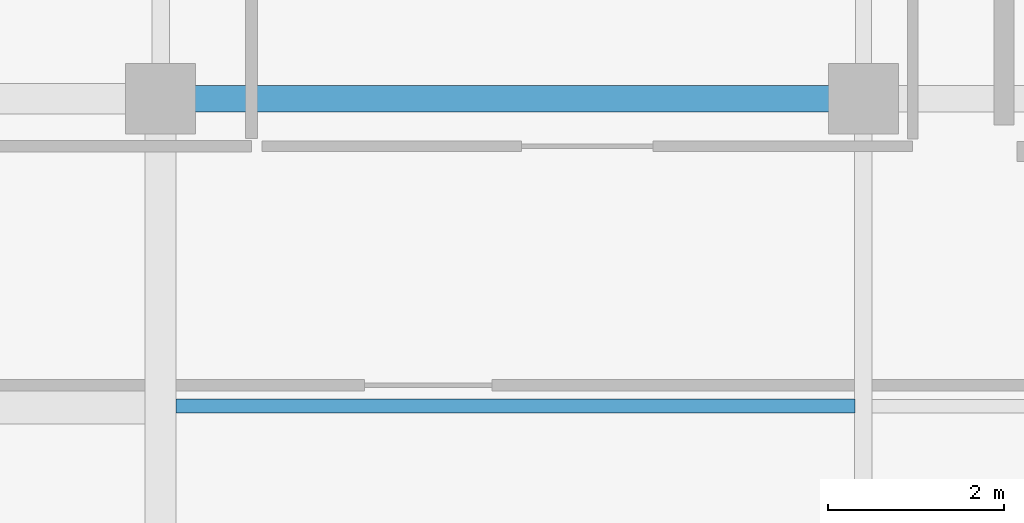
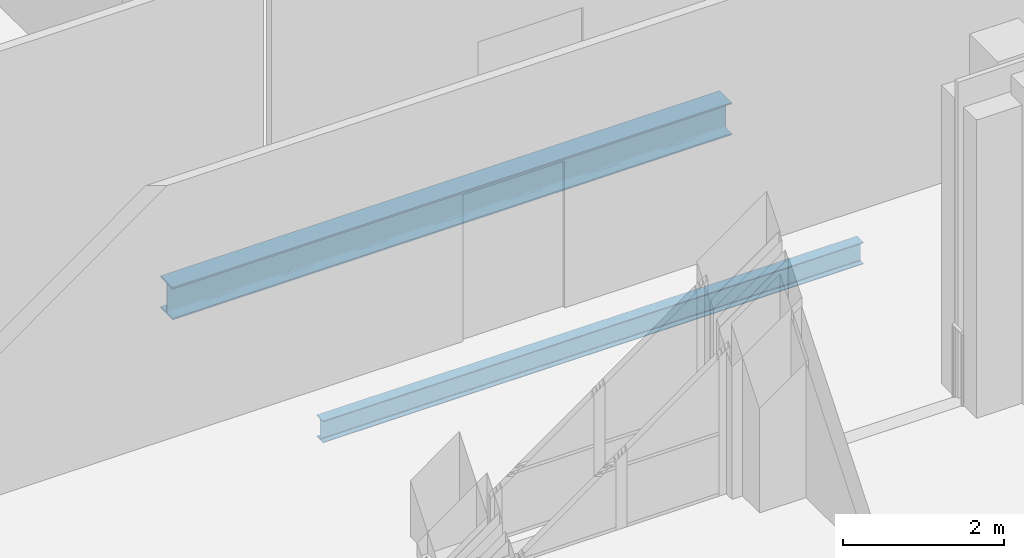
# One storey, part 87 of 189: 2 beams.
"""IFC4 building model written with IfcOpenShell, lengths in metres."""

import ifcopenshell
import ifcopenshell.guid

model = None  # the IFC model being written
_history = None  # IfcOwnerHistory: only IFC2X3 demands one
_inside = {}  # id of a spatial element -> (the spatial element, [elements in it])
_under = {}  # id of a project, library or spatial element -> (it, [spatial elements below it])
_declared = {}  # id of a project -> (the project, [libraries it declares])
_typed = {}  # id of a type object -> (the type object, [elements of that type])
_made_of = {}  # id of a material, layer set ... -> (it, [elements and type objects made of it])


def new_model(schema):
    """Start an empty IFC model of exactly this schema.

    Asked for "IFC4X3", IfcOpenShell would pick the latest addendum, in which some entities
    have other attributes; the version numbers below select the first issue.
    IFC2X3 requires an IfcOwnerHistory on every rooted entity: one is made here for all.
    """
    global model, _history
    if schema == "IFC4X3":
        model = ifcopenshell.file(schema_version=(4, 3, 0, 0))
    else:
        model = ifcopenshell.file(schema=schema)
    _inside.clear()
    _under.clear()
    _declared.clear()
    _typed.clear()
    _made_of.clear()
    _history = None
    if model.schema == "IFC2X3":
        org = make("IfcOrganization", Name="unknown")
        user = make(
            "IfcPersonAndOrganization",
            ThePerson=make("IfcPerson", FamilyName="unknown"),
            TheOrganization=org,
        )
        app = make(
            "IfcApplication",
            ApplicationDeveloper=org,
            Version="unknown",
            ApplicationFullName="unknown",
            ApplicationIdentifier="unknown",
        )
        _history = make(
            "IfcOwnerHistory",
            OwningUser=user,
            OwningApplication=app,
            ChangeAction="ADDED",
            CreationDate=0,
        )
    return model


def make(cls, **values):
    """One entity of the class cls with the attributes given. An attribute that is None is left unset."""
    return model.create_entity(
        cls, **{name: value for name, value in values.items() if value is not None}
    )


def rooted(cls, **values):
    """An entity with a GlobalId (a new one), such as an element, a storey or a relation."""
    return make(cls, GlobalId=ifcopenshell.guid.new(), OwnerHistory=_history, **values)


def si_unit(unit_type, name, prefix=None):
    """IfcSIUnit, for example si_unit("LENGTHUNIT", "METRE", prefix="MILLI")."""
    return make("IfcSIUnit", UnitType=unit_type, Prefix=prefix, Name=name)


def assignment(units):
    """IfcUnitAssignment: the units of a project."""
    return None if units is None else make("IfcUnitAssignment", Units=units)


def point(xyz):
    """IfcCartesianPoint."""
    return None if xyz is None else make("IfcCartesianPoint", Coordinates=xyz)


def direction(xyz):
    """IfcDirection."""
    return None if xyz is None else make("IfcDirection", DirectionRatios=xyz)


def frame(location, z_axis=None, x_axis=None):
    """IfcAxis2Placement3D, a coordinate frame: its origin and axes. An axis left out is left unset."""
    return make(
        "IfcAxis2Placement3D",
        Location=point(location),
        Axis=direction(z_axis),
        RefDirection=direction(x_axis),
    )


def frame_2d(location, x_axis=None):
    """IfcAxis2Placement2D, a coordinate frame in the plane: its origin and x axis."""
    return make(
        "IfcAxis2Placement2D", Location=point(location), RefDirection=direction(x_axis)
    )


def origin():
    """The frame at (0, 0, 0) with its axes left unset."""
    return frame((0.0, 0.0, 0.0))


def origin_2d():
    """The frame at (0, 0) in the plane with its x axis left unset."""
    return frame_2d((0.0, 0.0))


def place(relative_to, where):
    """IfcLocalPlacement: puts the frame where relative to a parent placement (None: the world)."""
    return make(
        "IfcLocalPlacement", PlacementRelTo=relative_to, RelativePlacement=where
    )


def context(
    kind, dimensions, precision=None, world=None, true_north=None, identifier=None
):
    """IfcGeometricRepresentationContext, for example the 3D "Model" context."""
    return make(
        "IfcGeometricRepresentationContext",
        ContextIdentifier=identifier,
        ContextType=kind,
        CoordinateSpaceDimension=dimensions,
        Precision=precision,
        WorldCoordinateSystem=world,
        TrueNorth=true_north,
    )


def subcontext(parent, identifier, kind, view, scale=None):
    """IfcGeometricRepresentationSubContext, for example "Body" below "Model"."""
    return make(
        "IfcGeometricRepresentationSubContext",
        ContextIdentifier=identifier,
        ContextType=kind,
        ParentContext=parent,
        TargetScale=scale,
        TargetView=view,
    )


def project(units=None, contexts=None):
    """IfcProject with its units and contexts."""
    return rooted(
        "IfcProject",
        Name="project",
        RepresentationContexts=contexts,
        UnitsInContext=assignment(units),
    )


def spatial(cls, under=None, at=None, **own):
    """A site, building, storey or space (cls), placed at a placement, below another one or the project."""
    s = rooted(cls, ObjectPlacement=at, **own)
    if under is not None:
        _under.setdefault(under.id(), (under, []))[1].append(s)
    return s


def profile(cls, at=None, kind="AREA", **sizes):
    """A parametric profile (cls). Its sizes go by their IFC names, for example OverallWidth=200.0."""
    return make(cls, ProfileType=kind, Position=at, **sizes)


def i_section(**sizes):
    """IfcIShapeProfileDef."""
    return profile("IfcIShapeProfileDef", **sizes)


def extrude(swept, where, along, depth):
    """IfcExtrudedAreaSolid: the profile swept, set in the frame where, extruded along a direction by depth."""
    return make(
        "IfcExtrudedAreaSolid",
        SweptArea=swept,
        Position=where,
        ExtrudedDirection=direction(along),
        Depth=depth,
    )


def shape(context_of_items, identifier, shape_type, items):
    """IfcShapeRepresentation: the items that make up one representation, for example the "Body"."""
    return make(
        "IfcShapeRepresentation",
        ContextOfItems=context_of_items,
        RepresentationIdentifier=identifier,
        RepresentationType=shape_type,
        Items=items,
    )


def material(Name=None, Category=None):
    """IfcMaterial."""
    return make("IfcMaterial", Name=Name, Category=Category)


def material_profile(
    of_material, cross_section, Name=None, Category=None, Priority=None
):
    """IfcMaterialProfile: a cross section and its material."""
    return make(
        "IfcMaterialProfile",
        Name=Name,
        Material=of_material,
        Profile=cross_section,
        Priority=Priority,
        Category=Category,
    )


def profile_set(profiles, Name=None, composite=None):
    """IfcMaterialProfileSet."""
    return make(
        "IfcMaterialProfileSet",
        Name=Name,
        MaterialProfiles=profiles,
        CompositeProfile=composite,
    )


def made_of(thing, what):
    """Note that an element or type object is made of a material, layer set ...; save() writes the relation."""
    if what is not None:
        _made_of.setdefault(what.id(), (what, []))[1].append(thing)
    return thing


def type_object(cls, material=None, **own):
    """A type object (cls), such as IfcWallType, which elements share."""
    return made_of(rooted(cls, **own), material)


def element(
    cls,
    number,
    at=None,
    inside=None,
    cuts=None,
    type_object=None,
    material=None,
    context=None,
    identifier="Body",
    shape_type=None,
    held_by="IfcProductDefinitionShape",
    body=None,
    shapes=None,
    **own,
):
    """One element of the class cls, such as IfcWall. Its Tag is "e" and its number.

    at: its placement. inside: the storey or other place that contains it. cuts: it is an
    opening in that element (IfcRelVoidsElement). A single representation is given by context,
    identifier, shape_type and body (its items); several are given by shapes. held_by: the class
    of the entity that holds the representations. save() writes the other relations.
    """
    e = rooted(cls, Tag="e%d" % number, ObjectPlacement=at, **own)
    if body is not None:
        shapes = [shape(context, identifier, shape_type, body)]
    if shapes is not None:
        e.Representation = make(held_by, Representations=shapes)
    if inside is not None:
        _inside.setdefault(inside.id(), (inside, []))[1].append(e)
    if cuts is not None:
        rooted(
            "IfcRelVoidsElement", RelatingBuildingElement=cuts, RelatedOpeningElement=e
        )
    if type_object is not None:
        _typed.setdefault(type_object.id(), (type_object, []))[1].append(e)
    return made_of(e, material)


def aggregate(whole, parts):
    """IfcRelAggregates: a whole, such as a stair, and the parts it consists of."""
    return rooted("IfcRelAggregates", RelatingObject=whole, RelatedObjects=parts)


def save(model, path):
    """Write the relations noted so far, then the file.

    IfcRelAggregates (storeys below a building ...), IfcRelContainedInSpatialStructure (elements
    in a storey), IfcRelDefinesByType, IfcRelAssociatesMaterial and IfcRelDeclares: one each for
    every whole, place, type object, material and project.
    """
    for whole, parts in _under.values():
        aggregate(whole, parts)
    for where, things in _inside.values():
        rooted(
            "IfcRelContainedInSpatialStructure",
            RelatedElements=things,
            RelatingStructure=where,
        )
    for kind, things in _typed.values():
        rooted("IfcRelDefinesByType", RelatedObjects=things, RelatingType=kind)
    for what, things in _made_of.values():
        rooted("IfcRelAssociatesMaterial", RelatedObjects=things, RelatingMaterial=what)
    for by, libraries in _declared.values():
        rooted("IfcRelDeclares", RelatingContext=by, RelatedDefinitions=libraries)
    model.write(path)


model = new_model("IFC4")

# Units and contexts
model_context = context("Model", 3, precision=1e-05, world=origin(), true_north=direction((0.0, 1.0)))
body_context = subcontext(model_context, "Body", "Model", "MODEL_VIEW")
ifc_project = project(units=[si_unit("LENGTHUNIT", "METRE"), si_unit("AREAUNIT", "SQUARE_METRE"), si_unit("VOLUMEUNIT", "CUBIC_METRE"), si_unit("PLANEANGLEUNIT", "RADIAN"), si_unit("MASSUNIT", "GRAM", prefix="KILO")], contexts=[model_context])

# Site, building, storey
site_placement = place(None, origin())
site = spatial("IfcSite", under=ifc_project, at=site_placement, CompositionType="ELEMENT")
building_placement = place(site_placement, origin())
building = spatial("IfcBuilding", under=site, at=building_placement, Name="Qalavern Law Courts", CompositionType="ELEMENT")
storey_placement = place(building_placement, frame((0.0, 0.0, 5.39990234375)))
storey = spatial("IfcBuildingStorey", under=building, at=storey_placement, Name="L01", CompositionType="ELEMENT", Elevation=5.39990234375)

# Beams
ifc_material = material(Name="Steel S355", Category="steel")
ifc_material_profile_1 = material_profile(ifc_material, i_section(OverallWidth=0.300048828125, OverallDepth=0.489990234375, WebThickness=0.011962890625, FlangeThickness=0.02294921875, FilletRadius=0.027099609375, at=origin_2d()), Name="HEA 500")
ifc_profile_set_1 = profile_set([ifc_material_profile_1], Name="Steel S355")
beam_type_1 = type_object("IfcBeamType", Name="STR-BM-HEA500", PredefinedType="BEAM", material=ifc_profile_set_1)
beam_1_placement = place(storey_placement, frame((10.39990234375, 103.60009765625, -0.544921875), z_axis=(1.0, 0.0, 0.0), x_axis=(0.0, 1.0, 0.0)))
element("IfcBeam", 1, at=beam_1_placement, inside=storey, type_object=beam_type_1, Name="V5 X-beam 2-2 L01", PredefinedType="BEAM", context=body_context, shape_type="SweptSolid", body=[
    extrude(i_section(OverallWidth=0.300048828125, OverallDepth=0.489990234375, WebThickness=0.011962890625, FlangeThickness=0.02294921875, FilletRadius=0.027099609375, at=origin_2d()), origin(), (0.0, 0.0, 1.0), 8.0),
])
ifc_material_profile_2 = material_profile(ifc_material, i_section(OverallWidth=0.159912109375, OverallDepth=0.330078125, WebThickness=0.007568359375, FlangeThickness=0.011474609375, FilletRadius=0.01806640625, at=origin_2d()), Name="IPE 330")
ifc_profile_set_2 = profile_set([ifc_material_profile_2], Name="Steel S355")
beam_type_2 = type_object("IfcBeamType", Name="STR-JST-IPE330", PredefinedType="JOIST", material=ifc_profile_set_2)
beam_2_placement = place(storey_placement, frame((10.572998046875, 100.10009765625, -0.46484375), z_axis=(1.0, 0.0, 0.0), x_axis=(0.0, 1.0, 0.0)))
element("IfcBeam", 2, at=beam_2_placement, inside=storey, type_object=beam_type_2, Name="V5 secondary joist 2.1.1 L01", PredefinedType="JOIST", context=body_context, shape_type="SweptSolid", body=[
    extrude(i_section(OverallWidth=0.159912109375, OverallDepth=0.330078125, WebThickness=0.007568359375, FlangeThickness=0.011474609375, FilletRadius=0.01806640625, at=origin_2d()), origin(), (0.0, 0.0, 1.0), 7.72900390625),
])

save(model, "model.ifc")
